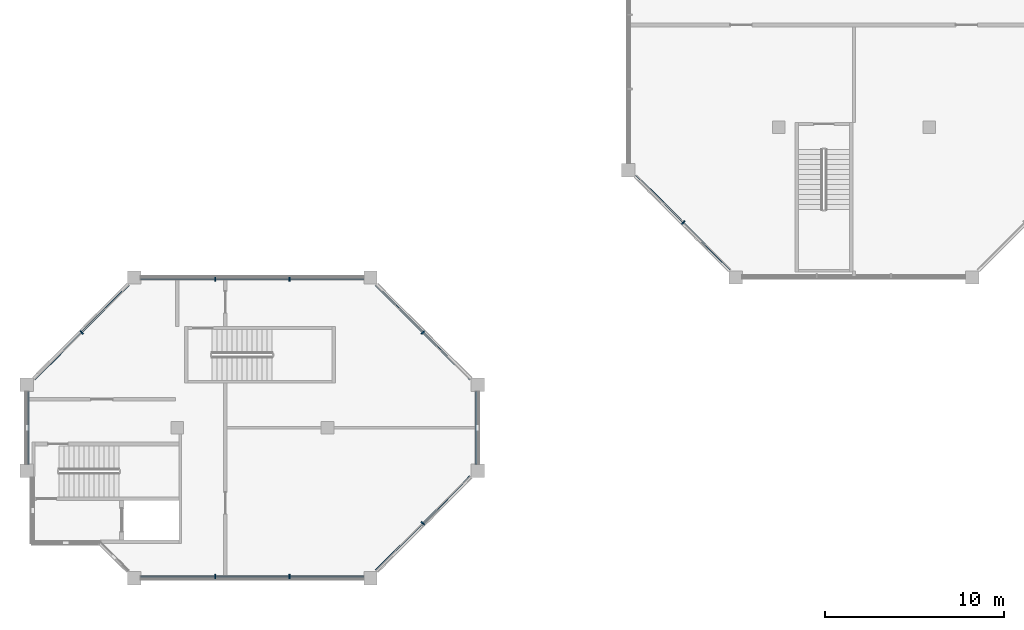
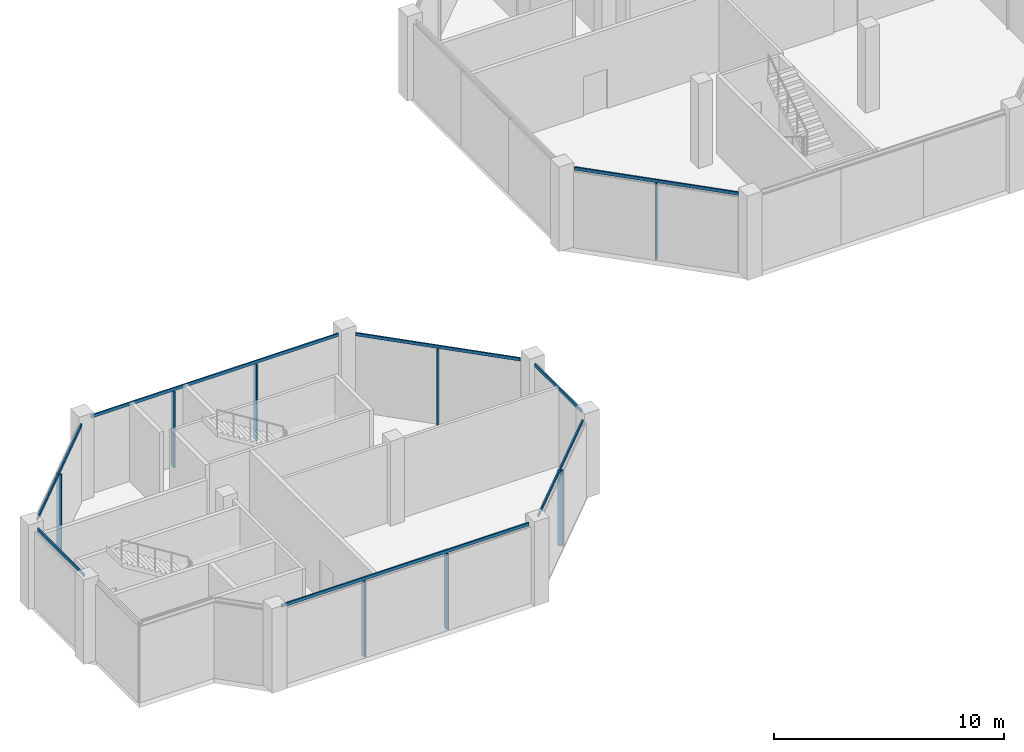
# One storey, part 2 of 9: 16 members, 8 elements without a shape of their own.
"""IFC4 building model written with IfcOpenShell, lengths in metres."""

from ifc_helpers import new_model, si_unit, direction, frame, origin, origin_2d, place, context, subcontext, project, spatial, rectangle, extrude, material, layer, layer_set, material_profile, profile_set, type_object, element, aggregate, save


model = new_model("IFC4")

# Units and contexts
model_context = context("Model", 3, precision=1e-05, world=origin(), true_north=direction((0.0, 1.0)))
body_context = subcontext(model_context, "Body", "Model", "MODEL_VIEW")
ifc_project = project(units=[si_unit("LENGTHUNIT", "METRE"), si_unit("AREAUNIT", "SQUARE_METRE"), si_unit("VOLUMEUNIT", "CUBIC_METRE"), si_unit("PLANEANGLEUNIT", "RADIAN"), si_unit("MASSUNIT", "GRAM", prefix="KILO")], contexts=[model_context])

# Site, building, storey
site_placement = place(None, origin())
site = spatial("IfcSite", under=ifc_project, at=site_placement, CompositionType="ELEMENT")
building_placement = place(site_placement, origin())
building = spatial("IfcBuilding", under=site, at=building_placement, Name="Kawkab Arch Medical Tower", CompositionType="ELEMENT")
storey_placement = place(building_placement, frame((0.0, 0.0, 341.199951171875)))
storey = spatial("IfcBuildingStorey", under=building, at=storey_placement, Name="L79", CompositionType="ELEMENT", Elevation=341.199951171875)

# Curtain wall, member
ifc_material_1 = material(Name="Bronze anodised aluminium curtain wall frame", Category="aluminium")
ifc_layer = layer(ifc_material_1, 0.159912109375)
ifc_layer_set = layer_set([ifc_layer], Name="Bronze anodised aluminium curtain wall frame")
curtain_wall_type = type_object("IfcCurtainWallType", Name="CW6 helipad lobby and crown glazing", PredefinedType="NOTDEFINED", material=ifc_layer_set)
placement = place(storey_placement, origin())
curtain_wall_1 = element("IfcCurtainWall", 1, at=placement, inside=storey, type_object=curtain_wall_type, Name="CW6 Helipad lobby and crown glazing R05", PredefinedType="NOTDEFINED")
ifc_material_2 = material(Name="Bronze anodised aluminium curtain wall frame", Category="aluminium")
ifc_material_profile_1 = material_profile(ifc_material_2, rectangle(XDim=0.239990234375, YDim=0.070068359375, at=origin_2d()), Name="AL 70x240")
ifc_profile_set_1 = profile_set([ifc_material_profile_1], Name="Bronze anodised aluminium curtain wall frame")
member_type_1 = type_object("IfcMemberType", Name="CW6 mullion 70 x 240", PredefinedType="MULLION", material=ifc_profile_set_1)
member_1_placement = place(storey_placement, frame((36.670654296875, -22.12939453125, 0.0), z_axis=(0.0, 0.0, 1.0), x_axis=(0.707106781187, 0.707106781187, 0.0)))
member_1 = element("IfcMember", 2, at=member_1_placement, type_object=member_type_1, Name="CW6 mullion 1.1", PredefinedType="MULLION", context=body_context, shape_type="SweptSolid", body=[
    extrude(rectangle(XDim=0.239990234375, YDim=0.070068359375, at=origin_2d()), origin(), (0.0, 0.0, 1.0), 4.0400390625),
])

curtain_wall_2 = element("IfcCurtainWall", 3, at=placement, inside=storey, type_object=curtain_wall_type, Name="CW6 Helipad lobby and crown glazing R09", PredefinedType="NOTDEFINED")
member_2_placement = place(storey_placement, frame((22.12939453125, -28.270751953125, 0.0), z_axis=(0.0, 0.0, 1.0), x_axis=(-0.707106781187, -0.707106781187, 0.0)))
member_2 = element("IfcMember", 4, at=member_2_placement, type_object=member_type_1, Name="CW6 mullion 1.1", PredefinedType="MULLION", context=body_context, shape_type="SweptSolid", body=[
    extrude(rectangle(XDim=0.239990234375, YDim=0.070068359375, at=origin_2d()), origin(), (0.0, 0.0, 1.0), 4.0400390625),
])

# Curtain wall, members
curtain_wall_3 = element("IfcCurtainWall", 5, at=placement, inside=storey, type_object=curtain_wall_type, Name="CW6 Helipad lobby and crown glazing R10", PredefinedType="NOTDEFINED")
member_3_placement = place(storey_placement, frame((14.675048828125, -25.300048828125, 0.0), z_axis=(0.0, 0.0, 1.0), x_axis=(0.0, -1.0, 0.0)))
member_3 = element("IfcMember", 6, at=member_3_placement, type_object=member_type_1, Name="CW6 mullion 1.1", PredefinedType="MULLION", context=body_context, shape_type="SweptSolid", body=[
    extrude(rectangle(XDim=0.239990234375, YDim=0.070068359375, at=origin_2d()), origin(), (0.0, 0.0, 1.0), 4.0400390625),
])
member_4_placement = place(storey_placement, frame((10.52490234375, -25.300048828125, 0.0), z_axis=(0.0, 0.0, 1.0), x_axis=(0.0, -1.0, 0.0)))
member_4 = element("IfcMember", 7, at=member_4_placement, type_object=member_type_1, Name="CW6 mullion 1.2", PredefinedType="MULLION", context=body_context, shape_type="SweptSolid", body=[
    extrude(rectangle(XDim=0.239990234375, YDim=0.070068359375, at=origin_2d()), origin(), (0.0, 0.0, 1.0), 4.0400390625),
])

# Curtain wall, member
curtain_wall_4 = element("IfcCurtainWall", 8, at=placement, inside=storey, type_object=curtain_wall_type, Name="CW6 Helipad lobby and crown glazing R11", PredefinedType="NOTDEFINED")
member_5_placement = place(storey_placement, frame((3.07080078125, -28.270751953125, 0.0), z_axis=(0.0, 0.0, 1.0), x_axis=(0.707106781187, -0.707106781187, 0.0)))
member_5 = element("IfcMember", 9, at=member_5_placement, type_object=member_type_1, Name="CW6 mullion 1.1", PredefinedType="MULLION", context=body_context, shape_type="SweptSolid", body=[
    extrude(rectangle(XDim=0.239990234375, YDim=0.070068359375, at=origin_2d()), origin(), (0.0, 0.0, 1.0), 4.0400390625),
])

# Curtain wall, members
curtain_wall_5 = element("IfcCurtainWall", 10, at=placement, inside=storey, type_object=curtain_wall_type, Name="CW6 Helipad lobby and crown glazing R17", PredefinedType="NOTDEFINED")
member_6_placement = place(storey_placement, frame((10.52490234375, -41.89990234375, 0.0), z_axis=(0.0, 0.0, 1.0), x_axis=(0.0, 1.0, 0.0)))
member_6 = element("IfcMember", 11, at=member_6_placement, type_object=member_type_1, Name="CW6 mullion 1.1", PredefinedType="MULLION", context=body_context, shape_type="SweptSolid", body=[
    extrude(rectangle(XDim=0.239990234375, YDim=0.070068359375, at=origin_2d()), origin(), (0.0, 0.0, 1.0), 4.0400390625),
])
member_7_placement = place(storey_placement, frame((14.675048828125, -41.89990234375, 0.0), z_axis=(0.0, 0.0, 1.0), x_axis=(0.0, 1.0, 0.0)))
member_7 = element("IfcMember", 12, at=member_7_placement, type_object=member_type_1, Name="CW6 mullion 1.2", PredefinedType="MULLION", context=body_context, shape_type="SweptSolid", body=[
    extrude(rectangle(XDim=0.239990234375, YDim=0.070068359375, at=origin_2d()), origin(), (0.0, 0.0, 1.0), 4.0400390625),
])

# Curtain wall, member
curtain_wall_6 = element("IfcCurtainWall", 13, at=placement, inside=storey, type_object=curtain_wall_type, Name="CW6 Helipad lobby and crown glazing R18", PredefinedType="NOTDEFINED")
member_8_placement = place(storey_placement, frame((22.12939453125, -38.92919921875, 0.0), z_axis=(0.0, 0.0, 1.0), x_axis=(-0.707106781187, 0.707106781187, 0.0)))
member_8 = element("IfcMember", 14, at=member_8_placement, type_object=member_type_1, Name="CW6 mullion 1.1", PredefinedType="MULLION", context=body_context, shape_type="SweptSolid", body=[
    extrude(rectangle(XDim=0.239990234375, YDim=0.070068359375, at=origin_2d()), origin(), (0.0, 0.0, 1.0), 4.0400390625),
])

# Member
ifc_material_3 = material(Name="Bronze anodised aluminium curtain wall frame", Category="aluminium")
ifc_material_profile_2 = material_profile(ifc_material_3, rectangle(XDim=0.070068359375, YDim=0.159912109375, at=origin_2d()), Name="AL 70x160")
ifc_profile_set_2 = profile_set([ifc_material_profile_2], Name="Bronze anodised aluminium curtain wall frame")
member_type_2 = type_object("IfcMemberType", Name="CW6 transom 160 x 70", PredefinedType="USERDEFINED", material=ifc_profile_set_2)
member_9_placement = place(storey_placement, frame((34.045654296875, -19.50439453125, 4.1201171875), z_axis=(0.707106781187, -0.707106781187, 0.0), x_axis=(0.707106781187, 0.707106781187, 0.0)))
member_9 = element("IfcMember", 15, at=member_9_placement, type_object=member_type_2, Name="CW6 transom 1", ObjectType="TRANSOM", PredefinedType="USERDEFINED", context=body_context, shape_type="SweptSolid", body=[
    extrude(rectangle(XDim=0.070068359375, YDim=0.159912109375, at=origin_2d()), origin(), (0.0, 0.0, 1.0), 7.424560546875),
])

aggregate(curtain_wall_1, [member_9, member_1])

member_10_placement = place(storey_placement, frame((24.75439453125, -30.895751953125, 4.1201171875), z_axis=(-0.707123221898, 0.707090340093, 0.0), x_axis=(-0.707090340093, -0.707123221898, 0.0)))
member_10 = element("IfcMember", 16, at=member_10_placement, type_object=member_type_2, Name="CW6 transom 1", ObjectType="TRANSOM", PredefinedType="USERDEFINED", context=body_context, shape_type="SweptSolid", body=[
    extrude(rectangle(XDim=0.070068359375, YDim=0.159912109375, at=origin_2d()), origin(), (0.0, 0.0, 1.0), 7.4248046875),
])

aggregate(curtain_wall_2, [member_10, member_2])

member_11_placement = place(storey_placement, frame((18.824951171875, -25.300048828125, 4.1201171875), z_axis=(-1.0, 0.0, 0.0), x_axis=(0.0, -1.0, 0.0)))
member_11 = element("IfcMember", 17, at=member_11_placement, type_object=member_type_2, Name="CW6 transom 1", ObjectType="TRANSOM", PredefinedType="USERDEFINED", context=body_context, shape_type="SweptSolid", body=[
    extrude(rectangle(XDim=0.070068359375, YDim=0.159912109375, at=origin_2d()), origin(), (0.0, 0.0, 1.0), 12.449951171875),
])

aggregate(curtain_wall_3, [member_11, member_3, member_4])

member_12_placement = place(storey_placement, frame((5.69580078125, -25.645751953125, 4.1201171875), z_axis=(-0.707123221898, -0.707090340093, 0.0), x_axis=(0.707090340093, -0.707123221898, 0.0)))
member_12 = element("IfcMember", 18, at=member_12_placement, type_object=member_type_2, Name="CW6 transom 1", ObjectType="TRANSOM", PredefinedType="USERDEFINED", context=body_context, shape_type="SweptSolid", body=[
    extrude(rectangle(XDim=0.070068359375, YDim=0.159912109375, at=origin_2d()), origin(), (0.0, 0.0, 1.0), 7.4248046875),
])

aggregate(curtain_wall_4, [member_12, member_5])

# Curtain wall, member
curtain_wall_7 = element("IfcCurtainWall", 19, at=placement, inside=storey, type_object=curtain_wall_type, Name="CW6 Helipad lobby and crown glazing R12", PredefinedType="NOTDEFINED")
member_13_placement = place(storey_placement, frame((0.10009765625, -31.574951171875, 4.1201171875), z_axis=(0.0, -1.0, 0.0), x_axis=(1.0, 0.0, 0.0)))
member_13 = element("IfcMember", 20, at=member_13_placement, type_object=member_type_2, Name="CW6 transom 1", ObjectType="TRANSOM", PredefinedType="USERDEFINED", context=body_context, shape_type="SweptSolid", body=[
    extrude(rectangle(XDim=0.070068359375, YDim=0.159912109375, at=origin_2d()), origin(), (0.0, 0.0, 1.0), 4.050048828125),
])
aggregate(curtain_wall_7, [member_13])

# Member
member_14_placement = place(storey_placement, frame((6.375, -41.89990234375, 4.1201171875), z_axis=(1.0, 0.0, 0.0), x_axis=(0.0, 1.0, 0.0)))
member_14 = element("IfcMember", 21, at=member_14_placement, type_object=member_type_2, Name="CW6 transom 1", ObjectType="TRANSOM", PredefinedType="USERDEFINED", context=body_context, shape_type="SweptSolid", body=[
    extrude(rectangle(XDim=0.070068359375, YDim=0.159912109375, at=origin_2d()), origin(), (0.0, 0.0, 1.0), 12.449951171875),
])

aggregate(curtain_wall_5, [member_14, member_6, member_7])

member_15_placement = place(storey_placement, frame((19.50439453125, -41.55419921875, 4.1201171875), z_axis=(0.707106781187, 0.707106781187, 0.0), x_axis=(-0.707106781187, 0.707106781187, 0.0)))
member_15 = element("IfcMember", 22, at=member_15_placement, type_object=member_type_2, Name="CW6 transom 1", ObjectType="TRANSOM", PredefinedType="USERDEFINED", context=body_context, shape_type="SweptSolid", body=[
    extrude(rectangle(XDim=0.070068359375, YDim=0.159912109375, at=origin_2d()), origin(), (0.0, 0.0, 1.0), 7.424560546875),
])

aggregate(curtain_wall_6, [member_15, member_8])

# Curtain wall, member
curtain_wall_8 = element("IfcCurtainWall", 23, at=placement, inside=storey, type_object=curtain_wall_type, Name="CW6 Helipad lobby and crown glazing R19", PredefinedType="NOTDEFINED")
member_16_placement = place(storey_placement, frame((25.10009765625, -35.625, 4.1201171875), z_axis=(0.0, 1.0, 0.0), x_axis=(-1.0, 0.0, 0.0)))
member_16 = element("IfcMember", 24, at=member_16_placement, type_object=member_type_2, Name="CW6 transom 1", ObjectType="TRANSOM", PredefinedType="USERDEFINED", context=body_context, shape_type="SweptSolid", body=[
    extrude(rectangle(XDim=0.070068359375, YDim=0.159912109375, at=origin_2d()), origin(), (0.0, 0.0, 1.0), 4.050048828125),
])
aggregate(curtain_wall_8, [member_16])

save(model, "model.ifc")
